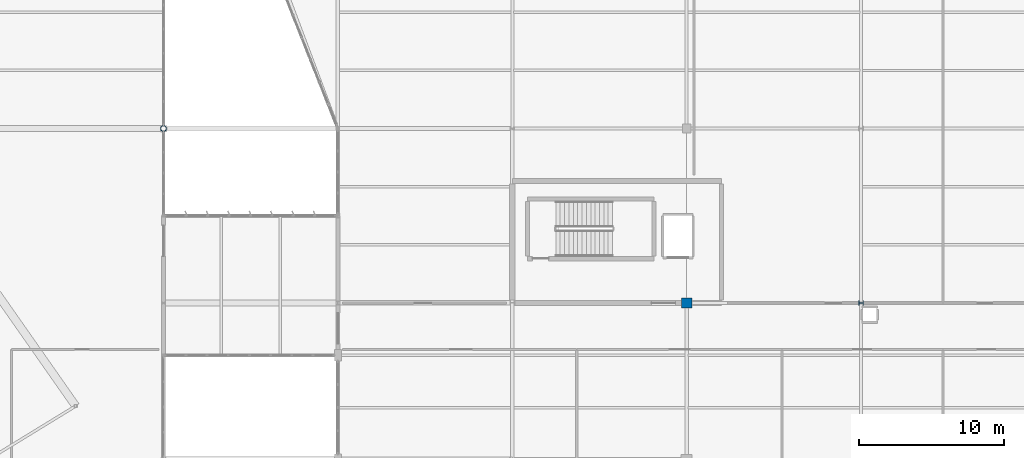
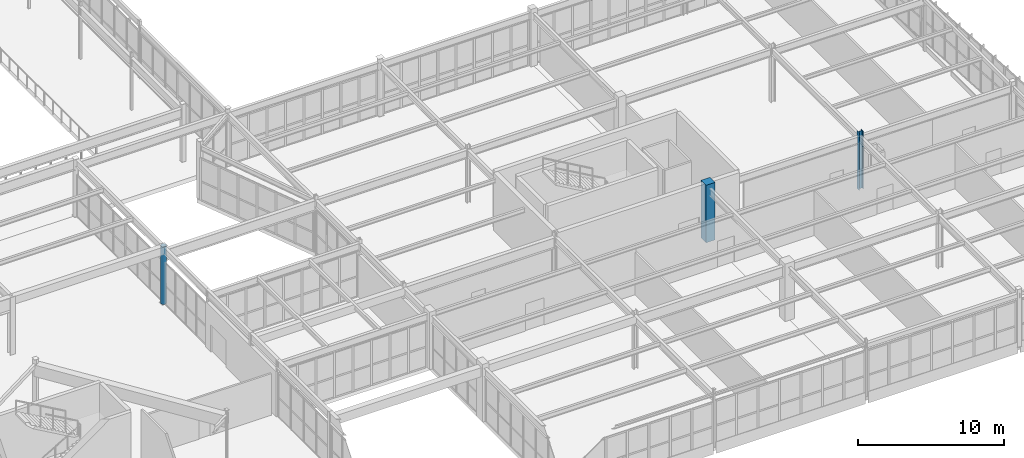
# One storey, part 38 of 186: 3 columns.
"""IFC4 building model written with IfcOpenShell, lengths in metres."""

import ifcopenshell
import ifcopenshell.guid

model = None  # the IFC model being written
_history = None  # IfcOwnerHistory: only IFC2X3 demands one
_inside = {}  # id of a spatial element -> (the spatial element, [elements in it])
_under = {}  # id of a project, library or spatial element -> (it, [spatial elements below it])
_declared = {}  # id of a project -> (the project, [libraries it declares])
_typed = {}  # id of a type object -> (the type object, [elements of that type])
_made_of = {}  # id of a material, layer set ... -> (it, [elements and type objects made of it])


def new_model(schema):
    """Start an empty IFC model of exactly this schema.

    Asked for "IFC4X3", IfcOpenShell would pick the latest addendum, in which some entities
    have other attributes; the version numbers below select the first issue.
    IFC2X3 requires an IfcOwnerHistory on every rooted entity: one is made here for all.
    """
    global model, _history
    if schema == "IFC4X3":
        model = ifcopenshell.file(schema_version=(4, 3, 0, 0))
    else:
        model = ifcopenshell.file(schema=schema)
    _inside.clear()
    _under.clear()
    _declared.clear()
    _typed.clear()
    _made_of.clear()
    _history = None
    if model.schema == "IFC2X3":
        org = make("IfcOrganization", Name="unknown")
        user = make(
            "IfcPersonAndOrganization",
            ThePerson=make("IfcPerson", FamilyName="unknown"),
            TheOrganization=org,
        )
        app = make(
            "IfcApplication",
            ApplicationDeveloper=org,
            Version="unknown",
            ApplicationFullName="unknown",
            ApplicationIdentifier="unknown",
        )
        _history = make(
            "IfcOwnerHistory",
            OwningUser=user,
            OwningApplication=app,
            ChangeAction="ADDED",
            CreationDate=0,
        )
    return model


def make(cls, **values):
    """One entity of the class cls with the attributes given. An attribute that is None is left unset."""
    return model.create_entity(
        cls, **{name: value for name, value in values.items() if value is not None}
    )


def rooted(cls, **values):
    """An entity with a GlobalId (a new one), such as an element, a storey or a relation."""
    return make(cls, GlobalId=ifcopenshell.guid.new(), OwnerHistory=_history, **values)


def si_unit(unit_type, name, prefix=None):
    """IfcSIUnit, for example si_unit("LENGTHUNIT", "METRE", prefix="MILLI")."""
    return make("IfcSIUnit", UnitType=unit_type, Prefix=prefix, Name=name)


def assignment(units):
    """IfcUnitAssignment: the units of a project."""
    return None if units is None else make("IfcUnitAssignment", Units=units)


def point(xyz):
    """IfcCartesianPoint."""
    return None if xyz is None else make("IfcCartesianPoint", Coordinates=xyz)


def direction(xyz):
    """IfcDirection."""
    return None if xyz is None else make("IfcDirection", DirectionRatios=xyz)


def frame(location, z_axis=None, x_axis=None):
    """IfcAxis2Placement3D, a coordinate frame: its origin and axes. An axis left out is left unset."""
    return make(
        "IfcAxis2Placement3D",
        Location=point(location),
        Axis=direction(z_axis),
        RefDirection=direction(x_axis),
    )


def frame_2d(location, x_axis=None):
    """IfcAxis2Placement2D, a coordinate frame in the plane: its origin and x axis."""
    return make(
        "IfcAxis2Placement2D", Location=point(location), RefDirection=direction(x_axis)
    )


def origin():
    """The frame at (0, 0, 0) with its axes left unset."""
    return frame((0.0, 0.0, 0.0))


def origin_2d():
    """The frame at (0, 0) in the plane with its x axis left unset."""
    return frame_2d((0.0, 0.0))


def place(relative_to, where):
    """IfcLocalPlacement: puts the frame where relative to a parent placement (None: the world)."""
    return make(
        "IfcLocalPlacement", PlacementRelTo=relative_to, RelativePlacement=where
    )


def context(
    kind, dimensions, precision=None, world=None, true_north=None, identifier=None
):
    """IfcGeometricRepresentationContext, for example the 3D "Model" context."""
    return make(
        "IfcGeometricRepresentationContext",
        ContextIdentifier=identifier,
        ContextType=kind,
        CoordinateSpaceDimension=dimensions,
        Precision=precision,
        WorldCoordinateSystem=world,
        TrueNorth=true_north,
    )


def subcontext(parent, identifier, kind, view, scale=None):
    """IfcGeometricRepresentationSubContext, for example "Body" below "Model"."""
    return make(
        "IfcGeometricRepresentationSubContext",
        ContextIdentifier=identifier,
        ContextType=kind,
        ParentContext=parent,
        TargetScale=scale,
        TargetView=view,
    )


def project(units=None, contexts=None):
    """IfcProject with its units and contexts."""
    return rooted(
        "IfcProject",
        Name="project",
        RepresentationContexts=contexts,
        UnitsInContext=assignment(units),
    )


def spatial(cls, under=None, at=None, **own):
    """A site, building, storey or space (cls), placed at a placement, below another one or the project."""
    s = rooted(cls, ObjectPlacement=at, **own)
    if under is not None:
        _under.setdefault(under.id(), (under, []))[1].append(s)
    return s


def profile(cls, at=None, kind="AREA", **sizes):
    """A parametric profile (cls). Its sizes go by their IFC names, for example OverallWidth=200.0."""
    return make(cls, ProfileType=kind, Position=at, **sizes)


def rectangle(**sizes):
    """IfcRectangleProfileDef."""
    return profile("IfcRectangleProfileDef", **sizes)


def hollow_circle(**sizes):
    """IfcCircleHollowProfileDef."""
    return profile("IfcCircleHollowProfileDef", **sizes)


def i_section(**sizes):
    """IfcIShapeProfileDef."""
    return profile("IfcIShapeProfileDef", **sizes)


def extrude(swept, where, along, depth):
    """IfcExtrudedAreaSolid: the profile swept, set in the frame where, extruded along a direction by depth."""
    return make(
        "IfcExtrudedAreaSolid",
        SweptArea=swept,
        Position=where,
        ExtrudedDirection=direction(along),
        Depth=depth,
    )


def shape(context_of_items, identifier, shape_type, items):
    """IfcShapeRepresentation: the items that make up one representation, for example the "Body"."""
    return make(
        "IfcShapeRepresentation",
        ContextOfItems=context_of_items,
        RepresentationIdentifier=identifier,
        RepresentationType=shape_type,
        Items=items,
    )


def material(Name=None, Category=None):
    """IfcMaterial."""
    return make("IfcMaterial", Name=Name, Category=Category)


def material_profile(
    of_material, cross_section, Name=None, Category=None, Priority=None
):
    """IfcMaterialProfile: a cross section and its material."""
    return make(
        "IfcMaterialProfile",
        Name=Name,
        Material=of_material,
        Profile=cross_section,
        Priority=Priority,
        Category=Category,
    )


def profile_set(profiles, Name=None, composite=None):
    """IfcMaterialProfileSet."""
    return make(
        "IfcMaterialProfileSet",
        Name=Name,
        MaterialProfiles=profiles,
        CompositeProfile=composite,
    )


def made_of(thing, what):
    """Note that an element or type object is made of a material, layer set ...; save() writes the relation."""
    if what is not None:
        _made_of.setdefault(what.id(), (what, []))[1].append(thing)
    return thing


def type_object(cls, material=None, **own):
    """A type object (cls), such as IfcWallType, which elements share."""
    return made_of(rooted(cls, **own), material)


def element(
    cls,
    number,
    at=None,
    inside=None,
    cuts=None,
    type_object=None,
    material=None,
    context=None,
    identifier="Body",
    shape_type=None,
    held_by="IfcProductDefinitionShape",
    body=None,
    shapes=None,
    **own,
):
    """One element of the class cls, such as IfcWall. Its Tag is "e" and its number.

    at: its placement. inside: the storey or other place that contains it. cuts: it is an
    opening in that element (IfcRelVoidsElement). A single representation is given by context,
    identifier, shape_type and body (its items); several are given by shapes. held_by: the class
    of the entity that holds the representations. save() writes the other relations.
    """
    e = rooted(cls, Tag="e%d" % number, ObjectPlacement=at, **own)
    if body is not None:
        shapes = [shape(context, identifier, shape_type, body)]
    if shapes is not None:
        e.Representation = make(held_by, Representations=shapes)
    if inside is not None:
        _inside.setdefault(inside.id(), (inside, []))[1].append(e)
    if cuts is not None:
        rooted(
            "IfcRelVoidsElement", RelatingBuildingElement=cuts, RelatedOpeningElement=e
        )
    if type_object is not None:
        _typed.setdefault(type_object.id(), (type_object, []))[1].append(e)
    return made_of(e, material)


def aggregate(whole, parts):
    """IfcRelAggregates: a whole, such as a stair, and the parts it consists of."""
    return rooted("IfcRelAggregates", RelatingObject=whole, RelatedObjects=parts)


def save(model, path):
    """Write the relations noted so far, then the file.

    IfcRelAggregates (storeys below a building ...), IfcRelContainedInSpatialStructure (elements
    in a storey), IfcRelDefinesByType, IfcRelAssociatesMaterial and IfcRelDeclares: one each for
    every whole, place, type object, material and project.
    """
    for whole, parts in _under.values():
        aggregate(whole, parts)
    for where, things in _inside.values():
        rooted(
            "IfcRelContainedInSpatialStructure",
            RelatedElements=things,
            RelatingStructure=where,
        )
    for kind, things in _typed.values():
        rooted("IfcRelDefinesByType", RelatedObjects=things, RelatingType=kind)
    for what, things in _made_of.values():
        rooted("IfcRelAssociatesMaterial", RelatedObjects=things, RelatingMaterial=what)
    for by, libraries in _declared.values():
        rooted("IfcRelDeclares", RelatingContext=by, RelatedDefinitions=libraries)
    model.write(path)


model = new_model("IFC4")

# Units and contexts
model_context = context("Model", 3, precision=1e-05, world=origin(), true_north=direction((0.0, 1.0)))
body_context = subcontext(model_context, "Body", "Model", "MODEL_VIEW")
ifc_project = project(units=[si_unit("LENGTHUNIT", "METRE"), si_unit("AREAUNIT", "SQUARE_METRE"), si_unit("VOLUMEUNIT", "CUBIC_METRE"), si_unit("PLANEANGLEUNIT", "RADIAN"), si_unit("MASSUNIT", "GRAM", prefix="KILO")], contexts=[model_context])

# Site, building, storey
site_placement = place(None, origin())
site = spatial("IfcSite", under=ifc_project, at=site_placement, CompositionType="ELEMENT")
building_placement = place(site_placement, origin())
building = spatial("IfcBuilding", under=site, at=building_placement, Name="Tarnwether General Hospital", CompositionType="ELEMENT")
storey_placement = place(building_placement, frame((0.0, 0.0, 9.60009765625)))
storey = spatial("IfcBuildingStorey", under=building, at=storey_placement, Name="L02", CompositionType="ELEMENT", Elevation=9.60009765625)

# Columns
ifc_material_1 = material(Name="Steel Grade 350 (350 MPa)", Category="steel")
ifc_material_profile_1 = material_profile(ifc_material_1, i_section(OverallWidth=0.31103515625, OverallDepth=0.326904296875, WebThickness=0.015625, FlangeThickness=0.02490234375, at=origin_2d()), Name="310UC158")
ifc_profile_set_1 = profile_set([ifc_material_profile_1], Name="Steel Grade 350 (350 MPa)")
column_type_1 = type_object("IfcColumnType", Name="COL-05", PredefinedType="COLUMN", material=ifc_profile_set_1)
column_1_placement = place(storey_placement, frame((180.0, 21.60009765625, 0.0), z_axis=(0.0, 0.0, 1.0), x_axis=(0.0, 1.0, 0.0)))
element("IfcColumn", 1, at=column_1_placement, inside=storey, type_object=column_type_1, Name="Column COLG-L02-18000_2160", PredefinedType="COLUMN", context=body_context, shape_type="SweptSolid", body=[
    extrude(i_section(OverallWidth=0.31103515625, OverallDepth=0.326904296875, WebThickness=0.015625, FlangeThickness=0.02490234375, at=origin_2d()), origin(), (0.0, 0.0, 1.0), 4.7998046875),
])
ifc_material_2 = material(Name="Steel Grade C350L0 (350 MPa)", Category="steel")
ifc_material_profile_2 = material_profile(ifc_material_2, hollow_circle(Radius=0.203125, WallThickness=0.01611328125, at=origin_2d()), Name="CHS406.4x16.0")
ifc_profile_set_2 = profile_set([ifc_material_profile_2], Name="Steel Grade C350L0 (350 MPa)")
column_type_2 = type_object("IfcColumnType", Name="COL-10", PredefinedType="COLUMN", material=ifc_profile_set_2)
column_2_placement = place(storey_placement, frame((132.0, 33.60009765625, 0.0), z_axis=(0.0, 0.0, 1.0), x_axis=(0.0, 1.0, 0.0)))
element("IfcColumn", 2, at=column_2_placement, inside=storey, type_object=column_type_2, Name="Column COLG-L02-13200_3360", PredefinedType="COLUMN", context=body_context, shape_type="SweptSolid", body=[
    extrude(hollow_circle(Radius=0.203125, WallThickness=0.01611328125, at=origin_2d()), origin(), (0.0, 0.0, 1.0), 4.7998046875),
])
ifc_material_3 = material(Name="Concrete 50 MPa", Category="concrete")
ifc_material_profile_3 = material_profile(ifc_material_3, rectangle(XDim=0.699951171875, YDim=0.699951171875, at=origin_2d()), Name="RC-COL-700x700")
ifc_profile_set_3 = profile_set([ifc_material_profile_3], Name="Concrete 50 MPa")
column_type_3 = type_object("IfcColumnType", Name="COL-18", PredefinedType="COLUMN", material=ifc_profile_set_3)
column_3_placement = place(storey_placement, frame((168.0, 21.60009765625, 0.0), z_axis=(0.0, 0.0, 1.0), x_axis=(1.0, 0.0, 0.0)))
element("IfcColumn", 3, at=column_3_placement, inside=storey, type_object=column_type_3, Name="Column COLG-L02-16800_2160", PredefinedType="COLUMN", context=body_context, shape_type="SweptSolid", body=[
    extrude(rectangle(XDim=0.699951171875, YDim=0.699951171875, at=origin_2d()), origin(), (0.0, 0.0, 1.0), 4.7998046875),
])

save(model, "model.ifc")
